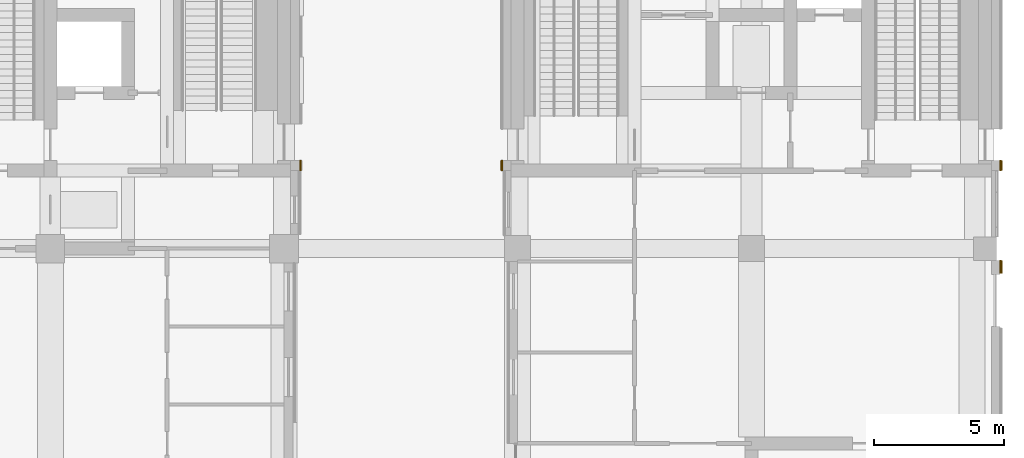
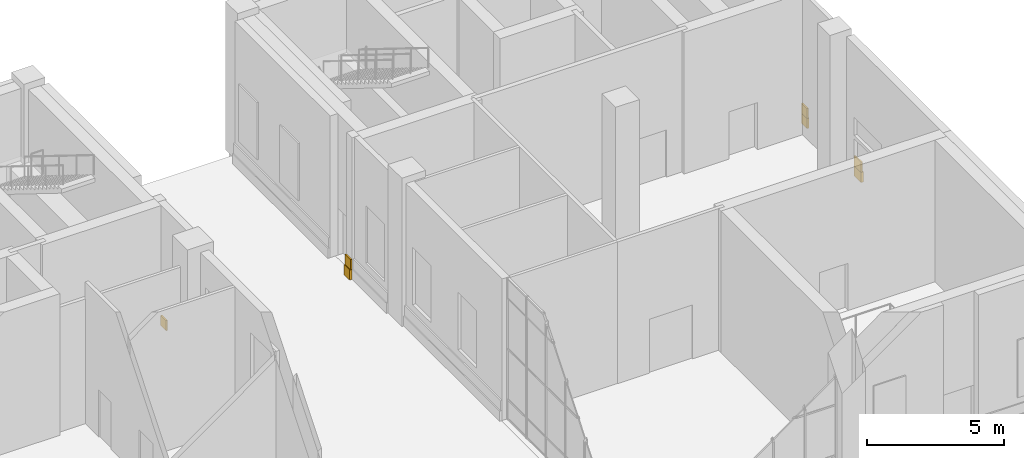
# One storey, part 34 of 35: 7 coverings.
"""IFC4 building model written with IfcOpenShell, lengths in metres."""

from ifc_helpers import new_model, si_unit, direction, frame, origin, origin_2d, place, context, subcontext, project, spatial, rectangle, extrude, material, type_object, element, save


model = new_model("IFC4")

# Units and contexts
model_context = context("Model", 3, precision=1e-05, world=origin(), true_north=direction((0.0, 1.0)))
body_context = subcontext(model_context, "Body", "Model", "MODEL_VIEW")
ifc_project = project(units=[si_unit("LENGTHUNIT", "METRE"), si_unit("AREAUNIT", "SQUARE_METRE"), si_unit("VOLUMEUNIT", "CUBIC_METRE"), si_unit("PLANEANGLEUNIT", "RADIAN"), si_unit("MASSUNIT", "GRAM", prefix="KILO")], contexts=[model_context])

# Site, building, storey
site_placement = place(None, origin())
site = spatial("IfcSite", under=ifc_project, at=site_placement, CompositionType="ELEMENT")
building_placement = place(site_placement, origin())
building = spatial("IfcBuilding", under=site, at=building_placement, Name="Aurelan Courthouse", CompositionType="ELEMENT")
storey_placement = place(building_placement, origin())
storey = spatial("IfcBuildingStorey", under=building, at=storey_placement, Name="L00", CompositionType="ELEMENT", Elevation=0.0)

# Coverings
ifc_material = material(Name="Granite cladding", Category="masonry")
covering_type_1 = type_object("IfcCoveringType", Name="Courtroom Block rusticated plinth course 450 x 100", PredefinedType="CLADDING", material=ifc_material)
covering_1_placement = place(storey_placement, frame((63.6298828125, 57.199951171875, 0.4501953125), z_axis=(0.0, 0.0, 1.0), x_axis=(1.0, 0.0, 0.0)))
element("IfcCovering", 1, at=covering_1_placement, inside=storey, type_object=covering_type_1, Name="Plinth course PLC-V2-032", PredefinedType="CLADDING", context=body_context, shape_type="SweptSolid", body=[
    extrude(rectangle(XDim=0.06005859375, YDim=0.39990234375, at=origin_2d()), origin(), (0.0, 0.0, 1.0), 0.449951171875),
])
covering_type_2 = type_object("IfcCoveringType", Name="Law Library rusticated plinth course 450 x 100", PredefinedType="CLADDING", material=ifc_material)
covering_2_placement = place(storey_placement, frame((90.6201171875, 53.300048828125, 0.0), z_axis=(0.0, 0.0, 1.0), x_axis=(1.0, 0.0, 0.0)))
element("IfcCovering", 2, at=covering_2_placement, inside=storey, type_object=covering_type_2, Name="Plinth course PLC-V3-010", PredefinedType="CLADDING", context=body_context, shape_type="SweptSolid", body=[
    extrude(rectangle(XDim=0.10009765625, YDim=0.5, at=origin_2d()), origin(), (0.0, 0.0, 1.0), 0.449951171875),
])
covering_3_placement = place(storey_placement, frame((90.60009765625, 53.300048828125, 0.4501953125), z_axis=(0.0, 0.0, 1.0), x_axis=(1.0, 0.0, 0.0)))
element("IfcCovering", 3, at=covering_3_placement, inside=storey, type_object=covering_type_2, Name="Plinth course PLC-V3-012", PredefinedType="CLADDING", context=body_context, shape_type="SweptSolid", body=[
    extrude(rectangle(XDim=0.06005859375, YDim=0.5, at=origin_2d()), origin(), (0.0, 0.0, 1.0), 0.449951171875),
])
covering_4_placement = place(storey_placement, frame((71.3798828125, 57.199951171875, 0.0), z_axis=(0.0, 0.0, 1.0), x_axis=(1.0, 0.0, 0.0)))
element("IfcCovering", 4, at=covering_4_placement, inside=storey, type_object=covering_type_2, Name="Plinth course PLC-V3-017", PredefinedType="CLADDING", context=body_context, shape_type="SweptSolid", body=[
    extrude(rectangle(XDim=0.10009765625, YDim=0.39990234375, at=origin_2d()), origin(), (0.0, 0.0, 1.0), 0.449951171875),
])
covering_5_placement = place(storey_placement, frame((71.39990234375, 57.199951171875, 0.4501953125), z_axis=(0.0, 0.0, 1.0), x_axis=(1.0, 0.0, 0.0)))
element("IfcCovering", 5, at=covering_5_placement, inside=storey, type_object=covering_type_2, Name="Plinth course PLC-V3-018", PredefinedType="CLADDING", context=body_context, shape_type="SweptSolid", body=[
    extrude(rectangle(XDim=0.06005859375, YDim=0.39990234375, at=origin_2d()), origin(), (0.0, 0.0, 1.0), 0.449951171875),
])
covering_6_placement = place(storey_placement, frame((90.6201171875, 57.199951171875, 0.0), z_axis=(0.0, 0.0, 1.0), x_axis=(1.0, 0.0, 0.0)))
element("IfcCovering", 6, at=covering_6_placement, inside=storey, type_object=covering_type_2, Name="Plinth course PLC-V3-019", PredefinedType="CLADDING", context=body_context, shape_type="SweptSolid", body=[
    extrude(rectangle(XDim=0.10009765625, YDim=0.39990234375, at=origin_2d()), origin(), (0.0, 0.0, 1.0), 0.449951171875),
])
covering_7_placement = place(storey_placement, frame((90.60009765625, 57.199951171875, 0.4501953125), z_axis=(0.0, 0.0, 1.0), x_axis=(1.0, 0.0, 0.0)))
element("IfcCovering", 7, at=covering_7_placement, inside=storey, type_object=covering_type_2, Name="Plinth course PLC-V3-020", PredefinedType="CLADDING", context=body_context, shape_type="SweptSolid", body=[
    extrude(rectangle(XDim=0.06005859375, YDim=0.39990234375, at=origin_2d()), origin(), (0.0, 0.0, 1.0), 0.449951171875),
])

save(model, "model.ifc")
